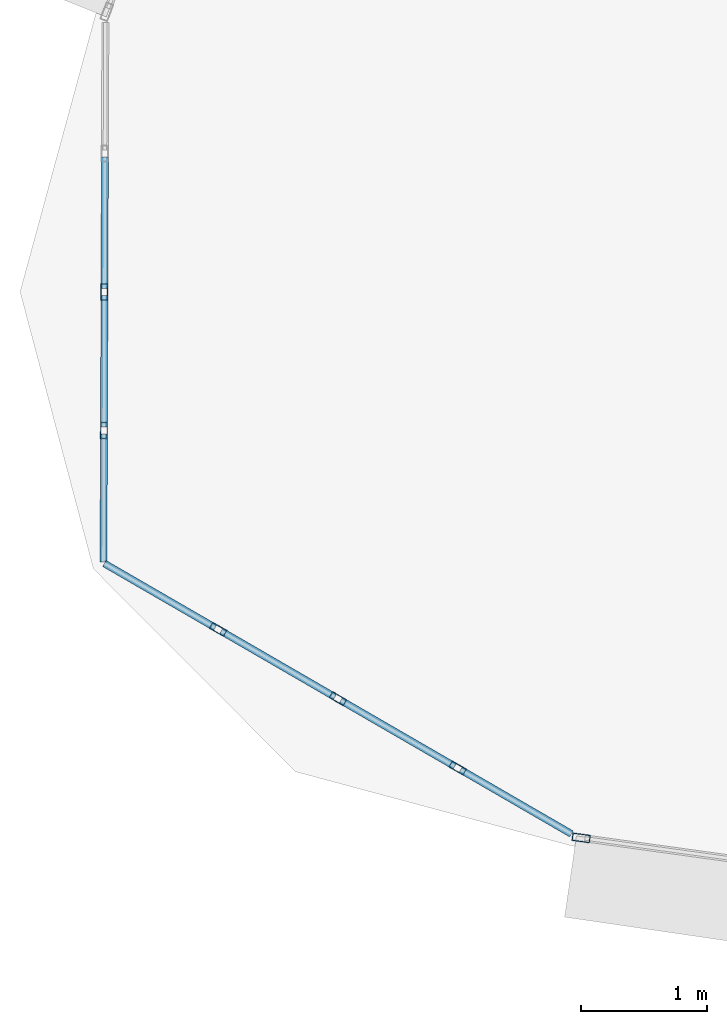
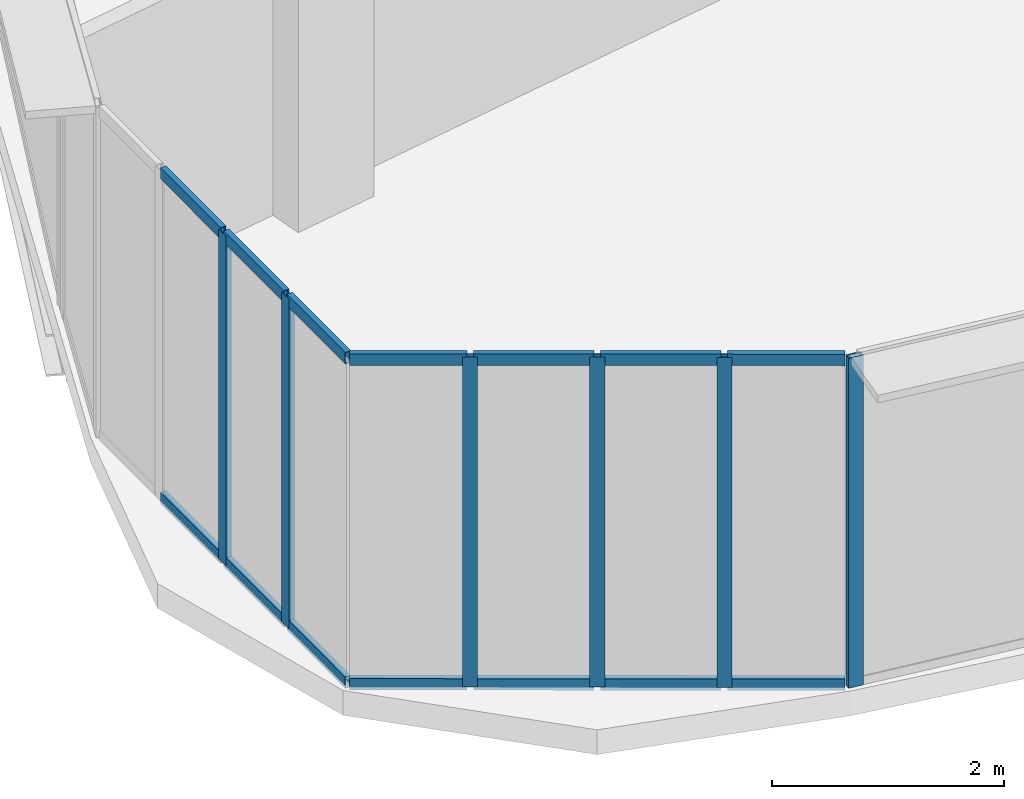
# One storey, part 2 of 36: 20 members, 3 elements without a shape of their own.
"""IFC4 building model written with IfcOpenShell, lengths in metres."""

from ifc_helpers import new_model, si_unit, direction, frame, origin, origin_2d, place, context, subcontext, project, spatial, hollow_rectangle, extrude, source, transform, mapped, material, layer, layer_set, material_profile, profile_set, type_object, element, aggregate, save


model = new_model("IFC4")

# Units and contexts
model_context = context("Model", 3, precision=1e-05, world=origin(), true_north=direction((0.0, 1.0)))
body_context = subcontext(model_context, "Body", "Model", "MODEL_VIEW")
ifc_project = project(units=[si_unit("LENGTHUNIT", "METRE"), si_unit("AREAUNIT", "SQUARE_METRE"), si_unit("VOLUMEUNIT", "CUBIC_METRE"), si_unit("PLANEANGLEUNIT", "RADIAN"), si_unit("MASSUNIT", "GRAM", prefix="KILO"), si_unit("THERMODYNAMICTEMPERATUREUNIT", "KELVIN"), si_unit("POWERUNIT", "WATT")], contexts=[model_context])

# Site, building, storey
site_placement = place(None, origin())
site = spatial("IfcSite", under=ifc_project, at=site_placement, CompositionType="ELEMENT")
building_placement = place(site_placement, origin())
building = spatial("IfcBuilding", under=site, at=building_placement, Name="Yunzhuo Pagoda Commons", CompositionType="ELEMENT")
storey_placement = place(building_placement, frame((0.0, 0.0, 248.260009765625)))
storey = spatial("IfcBuildingStorey", under=building, at=storey_placement, Name="L62", CompositionType="ELEMENT", Elevation=248.260009765625)

# Curtain wall, member
ifc_material = material(Name="Anodized aluminium 6063-T6", Category="aluminium")
ifc_layer_1 = layer(ifc_material, 0.139892578125)
ifc_layer_set_1 = layer_set([ifc_layer_1], Name="Anodized aluminium 6063-T6")
curtain_wall_type_1 = type_object("IfcCurtainWallType", Name="CW-HI High-Zone Ribbon Curtain Wall", PredefinedType="NOTDEFINED", material=ifc_layer_set_1)
curtain_wall_1_placement = place(storey_placement, origin())
curtain_wall_1 = element("IfcCurtainWall", 1, at=curtain_wall_1_placement, inside=storey, type_object=curtain_wall_type_1, Name="L62 curtain wall CW-L62-F1B1", PredefinedType="NOTDEFINED")
ifc_material_profile_1 = material_profile(ifc_material, hollow_rectangle(XDim=0.06005859375, YDim=0.139892578125, WallThickness=0.00341796875, at=origin_2d()), Name="Anodized aluminium 6063-T6")
ifc_profile_set_1 = profile_set([ifc_material_profile_1], Name="Anodized aluminium 6063-T6")
member_type_1 = type_object("IfcMemberType", Name="CW-HI-M Mullion RHS 140x60x3.5", PredefinedType="MULLION", material=ifc_profile_set_1)
shared_shape_1 = source(origin(), body_context, "Body", "SweptSolid", [
    extrude(hollow_rectangle(XDim=0.06005859375, YDim=0.139892578125, WallThickness=0.00341796875, at=origin_2d()), origin(), (0.0, 0.0, 1.0), 3.47021484375),
])
member_1_placement = place(storey_placement, frame((16.4755859375, 19.29833984375, 0.0), z_axis=(0.0, 0.0, 1.0), x_axis=(0.137250412651, 0.990536382082, 0.0)))
member_1 = element("IfcMember", 2, at=member_1_placement, type_object=member_type_1, Name="CW mullion 1", PredefinedType="MULLION", context=body_context, shape_type="MappedRepresentation", body=[
    mapped(shared_shape_1, transform((0.0, 0.0, 0.0), scale=1.0)),
])
aggregate(curtain_wall_1, [member_1])

# Curtain wall, members
ifc_layer_2 = layer(ifc_material, 0.1298828125)
ifc_layer_set_2 = layer_set([ifc_layer_2], Name="Anodized aluminium 6063-T6")
curtain_wall_type_2 = type_object("IfcCurtainWallType", Name="CW-VTX Rounded Corner Curtain Wall", PredefinedType="NOTDEFINED", material=ifc_layer_set_2)
curtain_wall_2_placement = place(storey_placement, origin())
curtain_wall_2 = element("IfcCurtainWall", 3, at=curtain_wall_2_placement, inside=storey, type_object=curtain_wall_type_2, Name="L62 curtain wall CW-L62-VTX1S1", PredefinedType="NOTDEFINED")
ifc_material_profile_2 = material_profile(ifc_material, hollow_rectangle(XDim=0.054931640625, YDim=0.1298828125, WallThickness=0.00341796875, at=origin_2d()), Name="Anodized aluminium 6063-T6")
ifc_profile_set_2 = profile_set([ifc_material_profile_2], Name="Anodized aluminium 6063-T6")
member_type_2 = type_object("IfcMemberType", Name="CW-VTX-M Mullion RHS 130x55x3.5", PredefinedType="MULLION", material=ifc_profile_set_2)
shared_shape_2 = source(origin(), body_context, "Body", "SweptSolid", [
    extrude(hollow_rectangle(XDim=0.054931640625, YDim=0.1298828125, WallThickness=0.00341796875, at=origin_2d()), origin(), (0.0, 0.0, 1.0), 3.47021484375),
])
member_2_placement = place(storey_placement, frame((12.704345703125, 23.615966796875, 0.0), z_axis=(0.0, 0.0, 1.0), x_axis=(0.999993571429, -0.003585679809, 0.0)))
member_2 = element("IfcMember", 4, at=member_2_placement, type_object=member_type_2, Name="CW mullion 3", PredefinedType="MULLION", context=body_context, shape_type="MappedRepresentation", body=[
    mapped(shared_shape_2, transform((0.0, 0.0, 0.0), scale=1.0)),
])
member_3_placement = place(storey_placement, frame((12.70068359375, 22.521484375, 0.0), z_axis=(0.0, 0.0, 1.0), x_axis=(0.999993571429, -0.003585679809, 0.0)))
member_3 = element("IfcMember", 5, at=member_3_placement, type_object=member_type_2, Name="CW mullion 4", PredefinedType="MULLION", context=body_context, shape_type="MappedRepresentation", body=[
    mapped(shared_shape_2, transform((0.0, 0.0, 0.0), scale=1.0)),
])

curtain_wall_3_placement = place(storey_placement, origin())
curtain_wall_3 = element("IfcCurtainWall", 6, at=curtain_wall_3_placement, inside=storey, type_object=curtain_wall_type_2, Name="L62 curtain wall CW-L62-VTX1S2", PredefinedType="NOTDEFINED")
member_4_placement = place(storey_placement, frame((13.60400390625, 20.94775390625, 0.0), z_axis=(0.0, 0.0, 1.0), x_axis=(0.501035370268, 0.865426806692, 0.0)))
member_4 = element("IfcMember", 7, at=member_4_placement, type_object=member_type_2, Name="CW mullion 2", PredefinedType="MULLION", context=body_context, shape_type="MappedRepresentation", body=[
    mapped(shared_shape_2, transform((0.0, 0.0, 0.0), scale=1.0)),
])
member_5_placement = place(storey_placement, frame((14.551513671875, 20.3994140625, 0.0), z_axis=(0.0, 0.0, 1.0), x_axis=(0.501035370268, 0.865426806692, 0.0)))
member_5 = element("IfcMember", 8, at=member_5_placement, type_object=member_type_2, Name="CW mullion 3", PredefinedType="MULLION", context=body_context, shape_type="MappedRepresentation", body=[
    mapped(shared_shape_2, transform((0.0, 0.0, 0.0), scale=1.0)),
])
member_6_placement = place(storey_placement, frame((15.49853515625, 19.850830078125, 0.0), z_axis=(0.0, 0.0, 1.0), x_axis=(0.501035370268, 0.865426806692, 0.0)))
member_6 = element("IfcMember", 9, at=member_6_placement, type_object=member_type_2, Name="CW mullion 4", PredefinedType="MULLION", context=body_context, shape_type="MappedRepresentation", body=[
    mapped(shared_shape_2, transform((0.0, 0.0, 0.0), scale=1.0)),
])
ifc_material_profile_3 = material_profile(ifc_material, hollow_rectangle(XDim=0.054931640625, YDim=0.1201171875, WallThickness=0.00341796875, at=origin_2d()), Name="Anodized aluminium 6063-T6")
ifc_profile_set_3 = profile_set([ifc_material_profile_3], Name="Anodized aluminium 6063-T6")
member_type_3 = type_object("IfcMemberType", Name="CW-VTX-T Transom RHS 120x55x3.5", PredefinedType="USERDEFINED", material=ifc_profile_set_3)
shared_shape_3 = source(origin(), body_context, "Body", "SweptSolid", [
    extrude(hollow_rectangle(XDim=0.054931640625, YDim=0.1201171875, WallThickness=0.00341796875, at=origin_2d()), origin(), (0.0, 0.0, 1.0), 1.011962890625),
])
member_7_placement = place(storey_placement, frame((15.5224609375, 19.837158203125, 0.027587890625), z_axis=(0.865393248242, -0.501093330526, 0.0), x_axis=(0.501093330526, 0.865393248242, 0.0)))
member_7 = element("IfcMember", 10, at=member_7_placement, type_object=member_type_3, Name="CW transom 4.1", ObjectType="TRANSOM", PredefinedType="USERDEFINED", context=body_context, shape_type="MappedRepresentation", body=[
    mapped(shared_shape_3, transform((0.0, 0.0, 0.0), scale=1.0)),
])
member_8_placement = place(storey_placement, frame((15.5224609375, 19.837158203125, 3.4423828125), z_axis=(0.865393248242, -0.501093330526, 0.0), x_axis=(0.501093330526, 0.865393248242, 0.0)))
member_8 = element("IfcMember", 11, at=member_8_placement, type_object=member_type_3, Name="CW transom 4.2", ObjectType="TRANSOM", PredefinedType="USERDEFINED", context=body_context, shape_type="MappedRepresentation", body=[
    mapped(shared_shape_3, transform((0.0, 0.0, 0.0), scale=1.0)),
])

# Member
shared_shape_4 = source(origin(), body_context, "Body", "SweptSolid", [
    extrude(hollow_rectangle(XDim=0.054931640625, YDim=0.1201171875, WallThickness=0.00341796875, at=origin_2d()), origin(), (0.0, 0.0, 1.0), 1.039794921875),
])
member_9_placement = place(storey_placement, frame((12.708251953125, 24.683349609375, 0.027587890625), z_axis=(-0.003756723901, -0.999992943488, 0.0), x_axis=(0.999992943488, -0.003756723901, 0.0)))
member_9 = element("IfcMember", 12, at=member_9_placement, type_object=member_type_3, Name="CW transom 2.1", ObjectType="TRANSOM", PredefinedType="USERDEFINED", context=body_context, shape_type="MappedRepresentation", body=[
    mapped(shared_shape_4, transform((0.0, 0.0, 0.0), scale=1.0)),
])

member_10_placement = place(storey_placement, frame((12.708251953125, 24.683349609375, 3.4423828125), z_axis=(-0.003756723901, -0.999992943488, 0.0), x_axis=(0.999992943488, -0.003756723901, 0.0)))
member_10 = element("IfcMember", 13, at=member_10_placement, type_object=member_type_3, Name="CW transom 2.2", ObjectType="TRANSOM", PredefinedType="USERDEFINED", context=body_context, shape_type="MappedRepresentation", body=[
    mapped(shared_shape_4, transform((0.0, 0.0, 0.0), scale=1.0)),
])

member_11_placement = place(storey_placement, frame((12.704345703125, 23.588623046875, 0.027587890625), z_axis=(-0.003521931667, -0.999993797979, 0.0), x_axis=(0.999993797979, -0.003521931667, 0.0)))
member_11 = element("IfcMember", 14, at=member_11_placement, type_object=member_type_3, Name="CW transom 3.1", ObjectType="TRANSOM", PredefinedType="USERDEFINED", context=body_context, shape_type="MappedRepresentation", body=[
    mapped(shared_shape_4, transform((0.0, 0.0, 0.0), scale=1.0)),
])

member_12_placement = place(storey_placement, frame((12.704345703125, 23.588623046875, 3.4423828125), z_axis=(-0.003521931667, -0.999993797979, 0.0), x_axis=(0.999993797979, -0.003521931667, 0.0)))
member_12 = element("IfcMember", 15, at=member_12_placement, type_object=member_type_3, Name="CW transom 3.2", ObjectType="TRANSOM", PredefinedType="USERDEFINED", context=body_context, shape_type="MappedRepresentation", body=[
    mapped(shared_shape_4, transform((0.0, 0.0, 0.0), scale=1.0)),
])

shared_shape_5 = source(origin(), body_context, "Body", "SweptSolid", [
    extrude(hollow_rectangle(XDim=0.054931640625, YDim=0.1201171875, WallThickness=0.00341796875, at=origin_2d()), origin(), (0.0, 0.0, 1.0), 1.01220703125),
])
member_13_placement = place(storey_placement, frame((12.70068359375, 22.494140625, 0.027587890625), z_axis=(-0.003859112604, -0.999992553597, 0.0), x_axis=(0.999992553597, -0.003859112604, 0.0)))
member_13 = element("IfcMember", 16, at=member_13_placement, type_object=member_type_3, Name="CW transom 4.1", ObjectType="TRANSOM", PredefinedType="USERDEFINED", context=body_context, shape_type="MappedRepresentation", body=[
    mapped(shared_shape_5, transform((0.0, 0.0, 0.0), scale=1.0)),
])

member_14_placement = place(storey_placement, frame((12.70068359375, 22.494140625, 3.4423828125), z_axis=(-0.003859112604, -0.999992553597, 0.0), x_axis=(0.999992553597, -0.003859112604, 0.0)))
member_14 = element("IfcMember", 17, at=member_14_placement, type_object=member_type_3, Name="CW transom 4.2", ObjectType="TRANSOM", PredefinedType="USERDEFINED", context=body_context, shape_type="MappedRepresentation", body=[
    mapped(shared_shape_5, transform((0.0, 0.0, 0.0), scale=1.0)),
])

aggregate(curtain_wall_2, [member_2, member_3, member_9, member_10, member_11, member_12, member_13, member_14])

member_15_placement = place(storey_placement, frame((12.7041015625, 21.46875, 0.027587890625), z_axis=(0.865453807894, -0.500988728817, 0.0), x_axis=(0.500988728817, 0.865453807894, 0.0)))
member_15 = element("IfcMember", 18, at=member_15_placement, type_object=member_type_3, Name="CW transom 1.1", ObjectType="TRANSOM", PredefinedType="USERDEFINED", context=body_context, shape_type="MappedRepresentation", body=[
    mapped(shared_shape_5, transform((0.0, 0.0, 0.0), scale=1.0)),
])

member_16_placement = place(storey_placement, frame((12.7041015625, 21.46875, 3.4423828125), z_axis=(0.865453807894, -0.500988728817, 0.0), x_axis=(0.500988728817, 0.865453807894, 0.0)))
member_16 = element("IfcMember", 19, at=member_16_placement, type_object=member_type_3, Name="CW transom 1.2", ObjectType="TRANSOM", PredefinedType="USERDEFINED", context=body_context, shape_type="MappedRepresentation", body=[
    mapped(shared_shape_5, transform((0.0, 0.0, 0.0), scale=1.0)),
])

shared_shape_6 = source(origin(), body_context, "Body", "SweptSolid", [
    extrude(hollow_rectangle(XDim=0.054931640625, YDim=0.1201171875, WallThickness=0.00341796875, at=origin_2d()), origin(), (0.0, 0.0, 1.0), 1.039306640625),
])
member_17_placement = place(storey_placement, frame((13.6279296875, 20.93408203125, 0.027587890625), z_axis=(0.865308332787, -0.501239951729, 0.0), x_axis=(0.501239951729, 0.865308332787, 0.0)))
member_17 = element("IfcMember", 20, at=member_17_placement, type_object=member_type_3, Name="CW transom 2.1", ObjectType="TRANSOM", PredefinedType="USERDEFINED", context=body_context, shape_type="MappedRepresentation", body=[
    mapped(shared_shape_6, transform((0.0, 0.0, 0.0), scale=1.0)),
])

member_18_placement = place(storey_placement, frame((13.6279296875, 20.93408203125, 3.4423828125), z_axis=(0.865308332787, -0.501239951729, 0.0), x_axis=(0.501239951729, 0.865308332787, 0.0)))
member_18 = element("IfcMember", 21, at=member_18_placement, type_object=member_type_3, Name="CW transom 2.2", ObjectType="TRANSOM", PredefinedType="USERDEFINED", context=body_context, shape_type="MappedRepresentation", body=[
    mapped(shared_shape_6, transform((0.0, 0.0, 0.0), scale=1.0)),
])

shared_shape_7 = source(origin(), body_context, "Body", "SweptSolid", [
    extrude(hollow_rectangle(XDim=0.054931640625, YDim=0.1201171875, WallThickness=0.00341796875, at=origin_2d()), origin(), (0.0, 0.0, 1.0), 1.0400390625),
])
member_19_placement = place(storey_placement, frame((14.574951171875, 20.3857421875, 0.027587890625), z_axis=(0.865485207922, -0.500934481613, 0.0), x_axis=(0.500934481613, 0.865485207922, 0.0)))
member_19 = element("IfcMember", 22, at=member_19_placement, type_object=member_type_3, Name="CW transom 3.1", ObjectType="TRANSOM", PredefinedType="USERDEFINED", context=body_context, shape_type="MappedRepresentation", body=[
    mapped(shared_shape_7, transform((0.0, 0.0, 0.0), scale=1.0)),
])

member_20_placement = place(storey_placement, frame((14.574951171875, 20.3857421875, 3.4423828125), z_axis=(0.865485207922, -0.500934481613, 0.0), x_axis=(0.500934481613, 0.865485207922, 0.0)))
member_20 = element("IfcMember", 23, at=member_20_placement, type_object=member_type_3, Name="CW transom 3.2", ObjectType="TRANSOM", PredefinedType="USERDEFINED", context=body_context, shape_type="MappedRepresentation", body=[
    mapped(shared_shape_7, transform((0.0, 0.0, 0.0), scale=1.0)),
])

aggregate(curtain_wall_3, [member_4, member_5, member_6, member_15, member_16, member_17, member_18, member_19, member_20, member_7, member_8])

save(model, "model.ifc")
